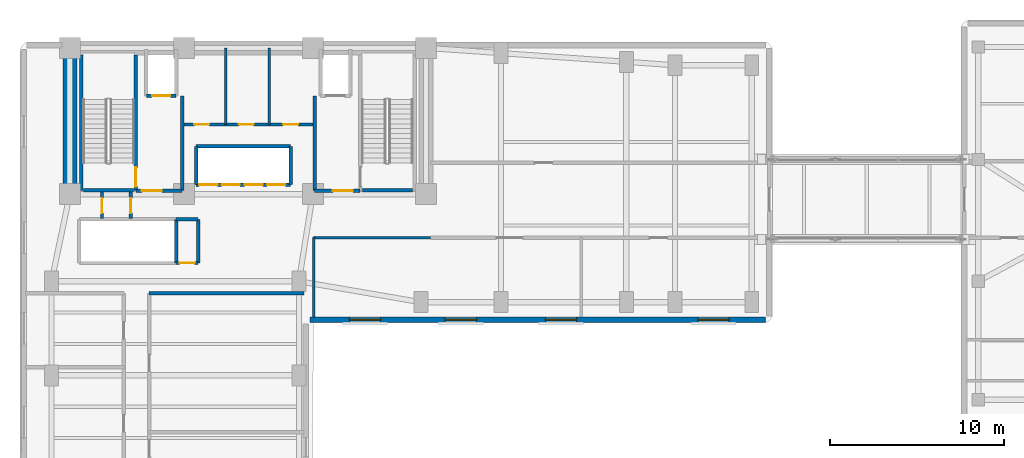
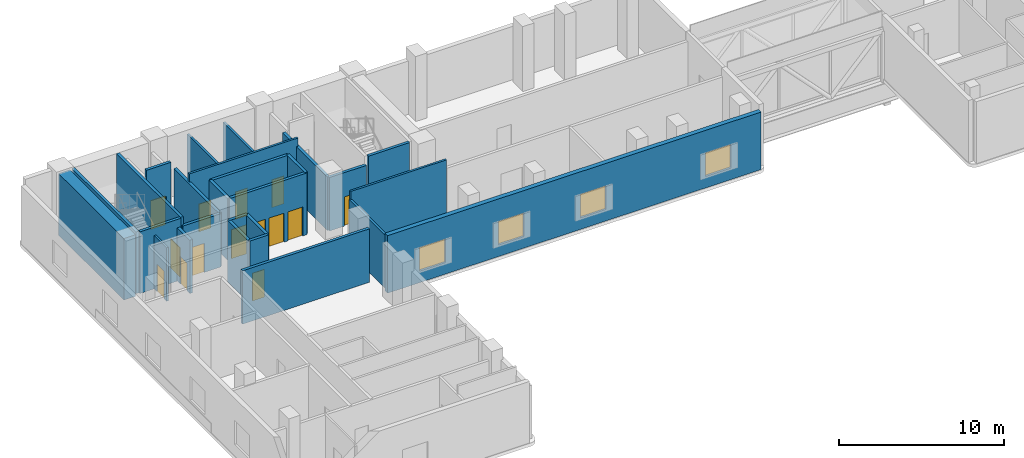
# One storey, part 12 of 17: 27 walls, 14 doors, 4 windows, 18 openings.
"""IFC4 building model written with IfcOpenShell, lengths in metres."""

import ifcopenshell
import ifcopenshell.guid

model = None  # the IFC model being written
_history = None  # IfcOwnerHistory: only IFC2X3 demands one
_inside = {}  # id of a spatial element -> (the spatial element, [elements in it])
_under = {}  # id of a project, library or spatial element -> (it, [spatial elements below it])
_declared = {}  # id of a project -> (the project, [libraries it declares])
_typed = {}  # id of a type object -> (the type object, [elements of that type])
_made_of = {}  # id of a material, layer set ... -> (it, [elements and type objects made of it])


def new_model(schema):
    """Start an empty IFC model of exactly this schema.

    Asked for "IFC4X3", IfcOpenShell would pick the latest addendum, in which some entities
    have other attributes; the version numbers below select the first issue.
    IFC2X3 requires an IfcOwnerHistory on every rooted entity: one is made here for all.
    """
    global model, _history
    if schema == "IFC4X3":
        model = ifcopenshell.file(schema_version=(4, 3, 0, 0))
    else:
        model = ifcopenshell.file(schema=schema)
    _inside.clear()
    _under.clear()
    _declared.clear()
    _typed.clear()
    _made_of.clear()
    _history = None
    if model.schema == "IFC2X3":
        org = make("IfcOrganization", Name="unknown")
        user = make(
            "IfcPersonAndOrganization",
            ThePerson=make("IfcPerson", FamilyName="unknown"),
            TheOrganization=org,
        )
        app = make(
            "IfcApplication",
            ApplicationDeveloper=org,
            Version="unknown",
            ApplicationFullName="unknown",
            ApplicationIdentifier="unknown",
        )
        _history = make(
            "IfcOwnerHistory",
            OwningUser=user,
            OwningApplication=app,
            ChangeAction="ADDED",
            CreationDate=0,
        )
    return model


def make(cls, **values):
    """One entity of the class cls with the attributes given. An attribute that is None is left unset."""
    return model.create_entity(
        cls, **{name: value for name, value in values.items() if value is not None}
    )


def rooted(cls, **values):
    """An entity with a GlobalId (a new one), such as an element, a storey or a relation."""
    return make(cls, GlobalId=ifcopenshell.guid.new(), OwnerHistory=_history, **values)


def si_unit(unit_type, name, prefix=None):
    """IfcSIUnit, for example si_unit("LENGTHUNIT", "METRE", prefix="MILLI")."""
    return make("IfcSIUnit", UnitType=unit_type, Prefix=prefix, Name=name)


def assignment(units):
    """IfcUnitAssignment: the units of a project."""
    return None if units is None else make("IfcUnitAssignment", Units=units)


def point(xyz):
    """IfcCartesianPoint."""
    return None if xyz is None else make("IfcCartesianPoint", Coordinates=xyz)


def direction(xyz):
    """IfcDirection."""
    return None if xyz is None else make("IfcDirection", DirectionRatios=xyz)


def frame(location, z_axis=None, x_axis=None):
    """IfcAxis2Placement3D, a coordinate frame: its origin and axes. An axis left out is left unset."""
    return make(
        "IfcAxis2Placement3D",
        Location=point(location),
        Axis=direction(z_axis),
        RefDirection=direction(x_axis),
    )


def frame_2d(location, x_axis=None):
    """IfcAxis2Placement2D, a coordinate frame in the plane: its origin and x axis."""
    return make(
        "IfcAxis2Placement2D", Location=point(location), RefDirection=direction(x_axis)
    )


def origin():
    """The frame at (0, 0, 0) with its axes left unset."""
    return frame((0.0, 0.0, 0.0))


def place(relative_to, where):
    """IfcLocalPlacement: puts the frame where relative to a parent placement (None: the world)."""
    return make(
        "IfcLocalPlacement", PlacementRelTo=relative_to, RelativePlacement=where
    )


def context(
    kind, dimensions, precision=None, world=None, true_north=None, identifier=None
):
    """IfcGeometricRepresentationContext, for example the 3D "Model" context."""
    return make(
        "IfcGeometricRepresentationContext",
        ContextIdentifier=identifier,
        ContextType=kind,
        CoordinateSpaceDimension=dimensions,
        Precision=precision,
        WorldCoordinateSystem=world,
        TrueNorth=true_north,
    )


def subcontext(parent, identifier, kind, view, scale=None):
    """IfcGeometricRepresentationSubContext, for example "Body" below "Model"."""
    return make(
        "IfcGeometricRepresentationSubContext",
        ContextIdentifier=identifier,
        ContextType=kind,
        ParentContext=parent,
        TargetScale=scale,
        TargetView=view,
    )


def project(units=None, contexts=None):
    """IfcProject with its units and contexts."""
    return rooted(
        "IfcProject",
        Name="project",
        RepresentationContexts=contexts,
        UnitsInContext=assignment(units),
    )


def spatial(cls, under=None, at=None, **own):
    """A site, building, storey or space (cls), placed at a placement, below another one or the project."""
    s = rooted(cls, ObjectPlacement=at, **own)
    if under is not None:
        _under.setdefault(under.id(), (under, []))[1].append(s)
    return s


def profile(cls, at=None, kind="AREA", **sizes):
    """A parametric profile (cls). Its sizes go by their IFC names, for example OverallWidth=200.0."""
    return make(cls, ProfileType=kind, Position=at, **sizes)


def rectangle(**sizes):
    """IfcRectangleProfileDef."""
    return profile("IfcRectangleProfileDef", **sizes)


def extrude(swept, where, along, depth):
    """IfcExtrudedAreaSolid: the profile swept, set in the frame where, extruded along a direction by depth."""
    return make(
        "IfcExtrudedAreaSolid",
        SweptArea=swept,
        Position=where,
        ExtrudedDirection=direction(along),
        Depth=depth,
    )


def shape(context_of_items, identifier, shape_type, items):
    """IfcShapeRepresentation: the items that make up one representation, for example the "Body"."""
    return make(
        "IfcShapeRepresentation",
        ContextOfItems=context_of_items,
        RepresentationIdentifier=identifier,
        RepresentationType=shape_type,
        Items=items,
    )


def material(Name=None, Category=None):
    """IfcMaterial."""
    return make("IfcMaterial", Name=Name, Category=Category)


def layer(
    of_material, thickness, ventilated=None, Name=None, Category=None, Priority=None
):
    """IfcMaterialLayer: one layer of a wall or slab, of a material (None: an air gap)."""
    return make(
        "IfcMaterialLayer",
        Material=of_material,
        LayerThickness=thickness,
        IsVentilated=ventilated,
        Name=Name,
        Category=Category,
        Priority=Priority,
    )


def layer_set(layers, Name=None):
    """IfcMaterialLayerSet."""
    return make("IfcMaterialLayerSet", MaterialLayers=layers, LayerSetName=Name)


def made_of(thing, what):
    """Note that an element or type object is made of a material, layer set ...; save() writes the relation."""
    if what is not None:
        _made_of.setdefault(what.id(), (what, []))[1].append(thing)
    return thing


def type_object(cls, material=None, **own):
    """A type object (cls), such as IfcWallType, which elements share."""
    return made_of(rooted(cls, **own), material)


def element(
    cls,
    number,
    at=None,
    inside=None,
    cuts=None,
    type_object=None,
    material=None,
    context=None,
    identifier="Body",
    shape_type=None,
    held_by="IfcProductDefinitionShape",
    body=None,
    shapes=None,
    **own,
):
    """One element of the class cls, such as IfcWall. Its Tag is "e" and its number.

    at: its placement. inside: the storey or other place that contains it. cuts: it is an
    opening in that element (IfcRelVoidsElement). A single representation is given by context,
    identifier, shape_type and body (its items); several are given by shapes. held_by: the class
    of the entity that holds the representations. save() writes the other relations.
    """
    e = rooted(cls, Tag="e%d" % number, ObjectPlacement=at, **own)
    if body is not None:
        shapes = [shape(context, identifier, shape_type, body)]
    if shapes is not None:
        e.Representation = make(held_by, Representations=shapes)
    if inside is not None:
        _inside.setdefault(inside.id(), (inside, []))[1].append(e)
    if cuts is not None:
        rooted(
            "IfcRelVoidsElement", RelatingBuildingElement=cuts, RelatedOpeningElement=e
        )
    if type_object is not None:
        _typed.setdefault(type_object.id(), (type_object, []))[1].append(e)
    return made_of(e, material)


def fill(opening, filler):
    """IfcRelFillsElement: the door or window that sits in an opening."""
    return rooted(
        "IfcRelFillsElement",
        RelatingOpeningElement=opening,
        RelatedBuildingElement=filler,
    )


def aggregate(whole, parts):
    """IfcRelAggregates: a whole, such as a stair, and the parts it consists of."""
    return rooted("IfcRelAggregates", RelatingObject=whole, RelatedObjects=parts)


def save(model, path):
    """Write the relations noted so far, then the file.

    IfcRelAggregates (storeys below a building ...), IfcRelContainedInSpatialStructure (elements
    in a storey), IfcRelDefinesByType, IfcRelAssociatesMaterial and IfcRelDeclares: one each for
    every whole, place, type object, material and project.
    """
    for whole, parts in _under.values():
        aggregate(whole, parts)
    for where, things in _inside.values():
        rooted(
            "IfcRelContainedInSpatialStructure",
            RelatedElements=things,
            RelatingStructure=where,
        )
    for kind, things in _typed.values():
        rooted("IfcRelDefinesByType", RelatedObjects=things, RelatingType=kind)
    for what, things in _made_of.values():
        rooted("IfcRelAssociatesMaterial", RelatedObjects=things, RelatingMaterial=what)
    for by, libraries in _declared.values():
        rooted("IfcRelDeclares", RelatingContext=by, RelatedDefinitions=libraries)
    model.write(path)


model = new_model("IFC4")

# Units and contexts
model_context = context("Model", 3, precision=1e-05, world=origin(), true_north=direction((0.0, 1.0)))
body_context = subcontext(model_context, "Body", "Model", "MODEL_VIEW")
ifc_project = project(units=[si_unit("LENGTHUNIT", "METRE"), si_unit("AREAUNIT", "SQUARE_METRE"), si_unit("VOLUMEUNIT", "CUBIC_METRE"), si_unit("PLANEANGLEUNIT", "RADIAN"), si_unit("MASSUNIT", "GRAM", prefix="KILO")], contexts=[model_context])

# Site, building, storey
site_placement = place(None, origin())
site = spatial("IfcSite", under=ifc_project, at=site_placement, CompositionType="ELEMENT")
building_placement = place(site_placement, origin())
building = spatial("IfcBuilding", under=site, at=building_placement, Name="Kuzgunbayir Cultural Tower", CompositionType="ELEMENT")
storey_placement = place(building_placement, frame((0.0, 0.0, 102.60009765625)))
storey = spatial("IfcBuildingStorey", under=building, at=storey_placement, Name="L29", CompositionType="ELEMENT", Elevation=102.60009765625)

# Wall
ifc_material_1 = material(Name="Concrete C60/75", Category="concrete")
ifc_layer_1 = layer(ifc_material_1, 0.800048828125)
ifc_layer_set_1 = layer_set([ifc_layer_1], Name="Concrete C60/75")
wall_type_1 = type_object("IfcWallType", Name="WAL-CORE-800", PredefinedType="SHEAR", material=ifc_layer_set_1)
wall_1_placement = place(storey_placement, frame((6.449951171875, 33.800048828125, 0.0), z_axis=(0.0, 0.0, 1.0), x_axis=(0.0, 1.0, 0.0)))
element("IfcWall", 1, at=wall_1_placement, inside=storey, type_object=wall_type_1, Name="L29 T1 Core West Shear Wall", PredefinedType="SHEAR", context=body_context, shape_type="SweptSolid", body=[
    extrude(rectangle(XDim=7.949951171875, YDim=0.800048828125, at=frame_2d((3.97509765625, 0.0))), origin(), (0.0, 0.0, 1.0), 4.559814453125),
])

# Wall, openings, windows
ifc_material_2 = material(Name="Travertine Buff Ashlar", Category="masonry")
ifc_layer_2 = layer(ifc_material_2, 0.320068359375)
ifc_layer_set_2 = layer_set([ifc_layer_2], Name="Travertine Buff Ashlar")
wall_type_2 = type_object("IfcWallType", Name="WAL-EXT-STONE-320", PredefinedType="STANDARD", material=ifc_layer_set_2)
wall_2_placement = place(storey_placement, frame((20.25, 26.60009765625, 0.0), z_axis=(0.0, 0.0, 1.0), x_axis=(1.0, 0.0, 0.0)))
wall_2 = element("IfcWall", 2, at=wall_2_placement, inside=storey, type_object=wall_type_2, Name="L29 Wing B South Limestone Wall", PredefinedType="STANDARD", context=body_context, shape_type="SweptSolid", body=[
    extrude(rectangle(XDim=26.14990234375, YDim=0.320068359375, at=frame_2d((13.074951171875, 0.0))), origin(), (0.0, 0.0, 1.0), 4.260009765625),
])
opening_1_placement = place(wall_2_placement, frame((2.25, 0.0, 0.85009765625)))
opening_1 = element("IfcOpeningElement", 3, at=opening_1_placement, cuts=wall_2, Name="Opening WH-18", PredefinedType="OPENING", context=body_context, shape_type="SweptSolid", body=[
    extrude(rectangle(XDim=1.800048828125, YDim=1.75, at=frame_2d((0.89990234375, 0.875))), frame((0.0, 0.169921875, 0.0), z_axis=(0.0, -1.0, 0.0), x_axis=(1.0, 0.0, 0.0)), (0.0, 0.0, 1.0), 0.340087890625),
])
opening_2_placement = place(wall_2_placement, frame((7.75, 0.0, 0.85009765625)))
opening_2 = element("IfcOpeningElement", 4, at=opening_2_placement, cuts=wall_2, Name="Opening WH-18", PredefinedType="OPENING", context=body_context, shape_type="SweptSolid", body=[
    extrude(rectangle(XDim=1.800048828125, YDim=1.75, at=frame_2d((0.89990234375, 0.875))), frame((0.0, 0.169921875, 0.0), z_axis=(0.0, -1.0, 0.0), x_axis=(1.0, 0.0, 0.0)), (0.0, 0.0, 1.0), 0.340087890625),
])
opening_3_placement = place(wall_2_placement, frame((13.5, 0.0, 0.85009765625)))
opening_3 = element("IfcOpeningElement", 5, at=opening_3_placement, cuts=wall_2, Name="Opening WH-18", PredefinedType="OPENING", context=body_context, shape_type="SweptSolid", body=[
    extrude(rectangle(XDim=1.800048828125, YDim=1.75, at=frame_2d((0.89990234375, 0.875))), frame((0.0, 0.169921875, 0.0), z_axis=(0.0, -1.0, 0.0), x_axis=(1.0, 0.0, 0.0)), (0.0, 0.0, 1.0), 0.340087890625),
])
opening_4_placement = place(wall_2_placement, frame((22.25, 0.0, 0.85009765625)))
opening_4 = element("IfcOpeningElement", 6, at=opening_4_placement, cuts=wall_2, Name="Opening WH-18", PredefinedType="OPENING", context=body_context, shape_type="SweptSolid", body=[
    extrude(rectangle(XDim=1.800048828125, YDim=1.75, at=frame_2d((0.89990234375, 0.875))), frame((0.0, 0.169921875, 0.0), z_axis=(0.0, -1.0, 0.0), x_axis=(1.0, 0.0, 0.0)), (0.0, 0.0, 1.0), 0.340087890625),
])
ifc_material_3 = material(Name="Solar-Control Triple Glazing", Category="glass")
window_type = type_object("IfcWindowType", Name="WIN-HOTEL-18", PartitioningType="SINGLE_PANEL", PredefinedType="WINDOW", material=ifc_material_3)
window_1_placement = place(opening_1_placement, origin())
window_1 = element("IfcWindow", 7, at=window_1_placement, inside=storey, type_object=window_type, Name="L29 WBS Facade Window 10", OverallHeight=1.75, OverallWidth=1.800048828125, PartitioningType="SINGLE_PANEL", PredefinedType="WINDOW", context=body_context, shape_type="SweptSolid", body=[
    extrude(rectangle(XDim=1.800048828125, YDim=1.75, at=frame_2d((0.89990234375, 0.875))), frame((0.0, 0.030029296875, 0.0), z_axis=(0.0, -1.0, 0.0), x_axis=(1.0, 0.0, 0.0)), (0.0, 0.0, 1.0), 0.06005859375),
])
fill(opening_1, window_1)
window_2_placement = place(opening_2_placement, origin())
window_2 = element("IfcWindow", 8, at=window_2_placement, inside=storey, type_object=window_type, Name="L29 WBS Facade Window 11", OverallHeight=1.75, OverallWidth=1.800048828125, PartitioningType="SINGLE_PANEL", PredefinedType="WINDOW", context=body_context, shape_type="SweptSolid", body=[
    extrude(rectangle(XDim=1.800048828125, YDim=1.75, at=frame_2d((0.89990234375, 0.875))), frame((0.0, 0.030029296875, 0.0), z_axis=(0.0, -1.0, 0.0), x_axis=(1.0, 0.0, 0.0)), (0.0, 0.0, 1.0), 0.06005859375),
])
fill(opening_2, window_2)
window_3_placement = place(opening_3_placement, origin())
window_3 = element("IfcWindow", 9, at=window_3_placement, inside=storey, type_object=window_type, Name="L29 WBS Facade Window 12", OverallHeight=1.75, OverallWidth=1.800048828125, PartitioningType="SINGLE_PANEL", PredefinedType="WINDOW", context=body_context, shape_type="SweptSolid", body=[
    extrude(rectangle(XDim=1.800048828125, YDim=1.75, at=frame_2d((0.89990234375, 0.875))), frame((0.0, 0.030029296875, 0.0), z_axis=(0.0, -1.0, 0.0), x_axis=(1.0, 0.0, 0.0)), (0.0, 0.0, 1.0), 0.06005859375),
])
fill(opening_3, window_3)
window_4_placement = place(opening_4_placement, origin())
window_4 = element("IfcWindow", 10, at=window_4_placement, inside=storey, type_object=window_type, Name="L29 WBS Facade Window 13", OverallHeight=1.75, OverallWidth=1.800048828125, PartitioningType="SINGLE_PANEL", PredefinedType="WINDOW", context=body_context, shape_type="SweptSolid", body=[
    extrude(rectangle(XDim=1.800048828125, YDim=1.75, at=frame_2d((0.89990234375, 0.875))), frame((0.0, 0.030029296875, 0.0), z_axis=(0.0, -1.0, 0.0), x_axis=(1.0, 0.0, 0.0)), (0.0, 0.0, 1.0), 0.06005859375),
])
fill(opening_4, window_4)

# Wall, opening, door
ifc_material_4 = material(Name="Acoustic Double-Stud Drywall", Category="gypsum")
ifc_layer_3 = layer(ifc_material_4, 0.14990234375)
ifc_layer_set_3 = layer_set([ifc_layer_3], Name="Acoustic Double-Stud Drywall")
wall_type_3 = type_object("IfcWallType", Name="WAL-PART-ACOUSTIC-150", PredefinedType="PARTITIONING", material=ifc_layer_set_3)
wall_3_placement = place(storey_placement, frame((8.300048828125, 32.39990234375, 0.0), z_axis=(0.0, 0.0, 1.0), x_axis=(0.0, 1.0, 0.0)))
wall_3 = element("IfcWall", 11, at=wall_3_placement, inside=storey, type_object=wall_type_3, Name="L29 West Core Closet Divider", PredefinedType="PARTITIONING", context=body_context, shape_type="SweptSolid", body=[
    extrude(rectangle(XDim=1.52001953125, YDim=0.14990234375, at=frame_2d((0.760009765625, 0.0))), origin(), (0.0, 0.0, 1.0), 3.949951171875),
])
opening_5_placement = place(wall_3_placement, frame((0.320068359375, 0.0, 0.0)))
opening_5 = element("IfcOpeningElement", 12, at=opening_5_placement, cuts=wall_3, Name="Opening DR-RSR-60", PredefinedType="OPENING", context=body_context, shape_type="SweptSolid", body=[
    extrude(rectangle(XDim=0.85009765625, YDim=2.050048828125, at=frame_2d((0.425048828125, 1.02490234375))), frame((0.0, 0.0849609375, 0.0), z_axis=(0.0, -1.0, 0.0), x_axis=(1.0, 0.0, 0.0)), (0.0, 0.0, 1.0), 0.169921875),
])
ifc_material_5 = material(Name="Steel Access Leaf", Category="steel")
door_type_1 = type_object("IfcDoorType", Name="DR-RISER-60", OperationType="NOTDEFINED", PredefinedType="DOOR", material=ifc_material_5)
door_1_placement = place(opening_5_placement, origin())
door_1 = element("IfcDoor", 13, at=door_1_placement, inside=storey, type_object=door_type_1, Name="L29 Sub-Meter Closet Door", OperationType="SINGLE_SWING_LEFT", OverallHeight=2.050048828125, OverallWidth=0.85009765625, PredefinedType="DOOR", context=body_context, shape_type="SweptSolid", body=[
    extrude(rectangle(XDim=0.85009765625, YDim=2.050048828125, at=frame_2d((0.425048828125, 1.02490234375))), frame((0.0, 0.02490234375, 0.0), z_axis=(0.0, -1.0, 0.0), x_axis=(1.0, 0.0, 0.0)), (0.0, 0.0, 1.0), 0.050048828125),
])
fill(opening_5, door_1)

# Wall, openings, doors
wall_4_placement = place(storey_placement, frame((12.89990234375, 37.800048828125, 0.0), z_axis=(0.0, 0.0, 1.0), x_axis=(1.0, 0.0, 0.0)))
wall_4 = element("IfcWall", 14, at=wall_4_placement, inside=storey, type_object=wall_type_3, Name="L29 Repurposed Core Suite Wall", PredefinedType="PARTITIONING", context=body_context, shape_type="SweptSolid", body=[
    extrude(rectangle(XDim=7.60009765625, YDim=0.14990234375, at=frame_2d((3.800048828125, 0.0))), origin(), (0.0, 0.0, 1.0), 4.559814453125),
])
opening_6_placement = place(wall_4_placement, frame((0.699951171875, 0.0, 0.0)))
opening_6 = element("IfcOpeningElement", 15, at=opening_6_placement, cuts=wall_4, Name="Opening DC-85", PredefinedType="OPENING", context=body_context, shape_type="SweptSolid", body=[
    extrude(rectangle(XDim=0.85009765625, YDim=2.050048828125, at=frame_2d((0.425048828125, 1.02490234375))), frame((0.0, 0.0849609375, 0.0), z_axis=(0.0, -1.0, 0.0), x_axis=(1.0, 0.0, 0.0)), (0.0, 0.0, 1.0), 0.169921875),
])
opening_7_placement = place(wall_4_placement, frame((3.25, 0.0, 0.0)))
opening_7 = element("IfcOpeningElement", 16, at=opening_7_placement, cuts=wall_4, Name="Opening DC-85", PredefinedType="OPENING", context=body_context, shape_type="SweptSolid", body=[
    extrude(rectangle(XDim=0.85009765625, YDim=2.050048828125, at=frame_2d((0.425048828125, 1.02490234375))), frame((0.0, 0.0849609375, 0.0), z_axis=(0.0, -1.0, 0.0), x_axis=(1.0, 0.0, 0.0)), (0.0, 0.0, 1.0), 0.169921875),
])
opening_8_placement = place(wall_4_placement, frame((5.800048828125, 0.0, 0.0)))
opening_8 = element("IfcOpeningElement", 17, at=opening_8_placement, cuts=wall_4, Name="Opening DC-85", PredefinedType="OPENING", context=body_context, shape_type="SweptSolid", body=[
    extrude(rectangle(XDim=0.85009765625, YDim=2.050048828125, at=frame_2d((0.425048828125, 1.02490234375))), frame((0.0, 0.0849609375, 0.0), z_axis=(0.0, -1.0, 0.0), x_axis=(1.0, 0.0, 0.0)), (0.0, 0.0, 1.0), 0.169921875),
])
ifc_material_6 = material(Name="Fire-Rated Veneered Oak Leaf", Category="wood")
door_type_2 = type_object("IfcDoorType", Name="DR-CORE-85", OperationType="NOTDEFINED", PredefinedType="DOOR", material=ifc_material_6)
door_2_placement = place(opening_6_placement, origin())
door_2 = element("IfcDoor", 18, at=door_2_placement, inside=storey, type_object=door_type_2, Name="L29 Phone Booth Door", OperationType="SINGLE_SWING_LEFT", OverallHeight=2.050048828125, OverallWidth=0.85009765625, PredefinedType="DOOR", context=body_context, shape_type="SweptSolid", body=[
    extrude(rectangle(XDim=0.85009765625, YDim=2.050048828125, at=frame_2d((0.425048828125, 1.02490234375))), frame((0.0, 0.02490234375, 0.0), z_axis=(0.0, -1.0, 0.0), x_axis=(1.0, 0.0, 0.0)), (0.0, 0.0, 1.0), 0.050048828125),
])
fill(opening_6, door_2)
door_3_placement = place(opening_7_placement, origin())
door_3 = element("IfcDoor", 19, at=door_3_placement, inside=storey, type_object=door_type_2, Name="L29 Pantry Alcove Door", OperationType="SINGLE_SWING_RIGHT", OverallHeight=2.050048828125, OverallWidth=0.85009765625, PredefinedType="DOOR", context=body_context, shape_type="SweptSolid", body=[
    extrude(rectangle(XDim=0.85009765625, YDim=2.050048828125, at=frame_2d((0.425048828125, 1.02490234375))), frame((0.0, 0.02490234375, 0.0), z_axis=(0.0, -1.0, 0.0), x_axis=(1.0, 0.0, 0.0)), (0.0, 0.0, 1.0), 0.050048828125),
])
fill(opening_7, door_3)
door_4_placement = place(opening_8_placement, origin())
door_4 = element("IfcDoor", 20, at=door_4_placement, inside=storey, type_object=door_type_2, Name="L29 Telecom Closet Door", OperationType="SINGLE_SWING_LEFT", OverallHeight=2.050048828125, OverallWidth=0.85009765625, PredefinedType="DOOR", context=body_context, shape_type="SweptSolid", body=[
    extrude(rectangle(XDim=0.85009765625, YDim=2.050048828125, at=frame_2d((0.425048828125, 1.02490234375))), frame((0.0, 0.02490234375, 0.0), z_axis=(0.0, -1.0, 0.0), x_axis=(1.0, 0.0, 0.0)), (0.0, 0.0, 1.0), 0.050048828125),
])
fill(opening_8, door_4)

# Walls
for number, where, z_axis, x_axis, name in (
    (21, (15.39990234375, 37.800048828125, 0.0), (0.0, 0.0, 1.0), (0.0, 1.0, 0.0), "L29 Core Pod Partition 1"),
    (22, (17.89990234375, 37.800048828125, 0.0), (0.0, 0.0, 1.0), (0.0, 1.0, 0.0), "L29 Core Pod Partition 2"),
):
    element("IfcWall", number, at=place(storey_placement, frame(where, z_axis=z_axis, x_axis=x_axis)), inside=storey, type_object=wall_type_3, Name=name, PredefinedType="PARTITIONING", context=body_context, shape_type="SweptSolid", body=[
        extrude(rectangle(XDim=4.39990234375, YDim=0.14990234375, at=frame_2d((2.199951171875, 0.0))), origin(), (0.0, 0.0, 1.0), 3.949951171875),
    ])
wall_5_placement = place(storey_placement, frame((20.449951171875, 26.75, 0.0), z_axis=(0.0, 0.0, 1.0), x_axis=(0.0, 1.0, 0.0)))
element("IfcWall", 23, at=wall_5_placement, inside=storey, type_object=wall_type_3, Name="L29 Skybridge Lounge West Closure Wall", PredefinedType="PARTITIONING", context=body_context, shape_type="SweptSolid", body=[
    extrude(rectangle(XDim=4.550048828125, YDim=0.14990234375, at=frame_2d((2.27490234375, 0.0))), origin(), (0.0, 0.0, 1.0), 3.949951171875),
])
wall_6_placement = place(storey_placement, frame((20.449951171875, 31.300048828125, 0.0), z_axis=(0.0, 0.0, 1.0), x_axis=(1.0, 0.0, 0.0)))
element("IfcWall", 24, at=wall_6_placement, inside=storey, type_object=wall_type_3, Name="L29 Skybridge Lounge North Closure Wall", PredefinedType="PARTITIONING", context=body_context, shape_type="SweptSolid", body=[
    extrude(rectangle(XDim=6.699951171875, YDim=0.14990234375, at=frame_2d((3.35009765625, 0.0))), origin(), (0.0, 0.0, 1.0), 4.559814453125),
])
ifc_material_7 = material(Name="Aerated Concrete Blockwork", Category="masonry")
ifc_layer_4 = layer(ifc_material_7, 0.199951171875)
ifc_layer_set_4 = layer_set([ifc_layer_4], Name="Aerated Concrete Blockwork")
wall_type_4 = type_object("IfcWallType", Name="WAL-PART-FIRE-200", PredefinedType="PARTITIONING", material=ifc_layer_set_4)
wall_7_placement = place(storey_placement, frame((12.89990234375, 34.0, 0.0), z_axis=(0.0, 0.0, 1.0), x_axis=(0.0, 1.0, 0.0)))
element("IfcWall", 25, at=wall_7_placement, inside=storey, type_object=wall_type_4, Name="L29 FFL-1 Lobby East Fire Wall", PredefinedType="PARTITIONING", context=body_context, shape_type="SweptSolid", body=[
    extrude(rectangle(XDim=5.449951171875, YDim=0.199951171875, at=frame_2d((2.72509765625, 0.0))), origin(), (0.0, 0.0, 1.0), 3.949951171875),
])

# Wall, opening, door
wall_8_placement = place(storey_placement, frame((10.239990234375, 34.0, 0.0), z_axis=(0.0, 0.0, 1.0), x_axis=(1.0, 0.0, 0.0)))
wall_8 = element("IfcWall", 26, at=wall_8_placement, inside=storey, type_object=wall_type_4, Name="L29 FFL-1 Lobby South Fire Wall", PredefinedType="PARTITIONING", context=body_context, shape_type="SweptSolid", body=[
    extrude(rectangle(XDim=2.659912109375, YDim=0.199951171875, at=frame_2d((1.330078125, 0.0))), origin(), (0.0, 0.0, 1.0), 3.949951171875),
])
opening_9_placement = place(wall_8_placement, frame((0.35009765625, 0.0, 0.0)))
opening_9 = element("IfcOpeningElement", 27, at=opening_9_placement, cuts=wall_8, Name="Opening DR-FFL-90", PredefinedType="OPENING", context=body_context, shape_type="SweptSolid", body=[
    extrude(rectangle(XDim=1.14990234375, YDim=2.14990234375, at=frame_2d((0.574951171875, 1.074951171875))), frame((0.0, 0.10986328125, 0.0), z_axis=(0.0, -1.0, 0.0), x_axis=(1.0, 0.0, 0.0)), (0.0, 0.0, 1.0), 0.219970703125),
])
ifc_material_8 = material(Name="Steel S355J2", Category="steel")
door_type_3 = type_object("IfcDoorType", Name="DR-FFL-90", OperationType="NOTDEFINED", PredefinedType="DOOR", material=ifc_material_8)
door_5_placement = place(opening_9_placement, origin())
door_5 = element("IfcDoor", 28, at=door_5_placement, inside=storey, type_object=door_type_3, Name="L29 Firefighting Lobby 1 Door", OperationType="SINGLE_SWING_RIGHT", OverallHeight=2.14990234375, OverallWidth=1.14990234375, PredefinedType="DOOR", context=body_context, shape_type="SweptSolid", body=[
    extrude(rectangle(XDim=1.14990234375, YDim=2.14990234375, at=frame_2d((0.574951171875, 1.074951171875))), frame((0.0, 0.02490234375, 0.0), z_axis=(0.0, -1.0, 0.0), x_axis=(1.0, 0.0, 0.0)), (0.0, 0.0, 1.0), 0.050048828125),
])
fill(opening_9, door_5)

# Wall
wall_9_placement = place(storey_placement, frame((20.5, 34.0, 0.0), z_axis=(0.0, 0.0, 1.0), x_axis=(0.0, 1.0, 0.0)))
element("IfcWall", 29, at=wall_9_placement, inside=storey, type_object=wall_type_4, Name="L29 FFL-2 Lobby West Fire Wall", PredefinedType="PARTITIONING", context=body_context, shape_type="SweptSolid", body=[
    extrude(rectangle(XDim=5.449951171875, YDim=0.199951171875, at=frame_2d((2.72509765625, 0.0))), origin(), (0.0, 0.0, 1.0), 3.949951171875),
])

# Wall, opening, door
wall_10_placement = place(storey_placement, frame((20.5, 34.0, 0.0), z_axis=(0.0, 0.0, 1.0), x_axis=(1.0, 0.0, 0.0)))
wall_10 = element("IfcWall", 30, at=wall_10_placement, inside=storey, type_object=wall_type_4, Name="L29 FFL-2 Lobby South Fire Wall", PredefinedType="PARTITIONING", context=body_context, shape_type="SweptSolid", body=[
    extrude(rectangle(XDim=2.60009765625, YDim=0.199951171875, at=frame_2d((1.300048828125, 0.0))), origin(), (0.0, 0.0, 1.0), 3.949951171875),
])
opening_10_placement = place(wall_10_placement, frame((1.050048828125, 0.0, 0.0)))
opening_10 = element("IfcOpeningElement", 31, at=opening_10_placement, cuts=wall_10, Name="Opening DR-FFL-90", PredefinedType="OPENING", context=body_context, shape_type="SweptSolid", body=[
    extrude(rectangle(XDim=1.14990234375, YDim=2.14990234375, at=frame_2d((0.574951171875, 1.074951171875))), frame((0.0, 0.10986328125, 0.0), z_axis=(0.0, -1.0, 0.0), x_axis=(1.0, 0.0, 0.0)), (0.0, 0.0, 1.0), 0.219970703125),
])
door_6_placement = place(opening_10_placement, origin())
door_6 = element("IfcDoor", 32, at=door_6_placement, inside=storey, type_object=door_type_3, Name="L29 Firefighting Lobby 2 Door", OperationType="SINGLE_SWING_LEFT", OverallHeight=2.14990234375, OverallWidth=1.14990234375, PredefinedType="DOOR", context=body_context, shape_type="SweptSolid", body=[
    extrude(rectangle(XDim=1.14990234375, YDim=2.14990234375, at=frame_2d((0.574951171875, 1.074951171875))), frame((0.0, 0.02490234375, 0.0), z_axis=(0.0, -1.0, 0.0), x_axis=(1.0, 0.0, 0.0)), (0.0, 0.0, 1.0), 0.050048828125),
])
fill(opening_10, door_6)

wall_11_placement = place(storey_placement, frame((9.949951171875, 32.39990234375, 0.0), z_axis=(0.0, 0.0, 1.0), x_axis=(0.0, 1.0, 0.0)))
wall_11 = element("IfcWall", 33, at=wall_11_placement, inside=storey, type_object=wall_type_4, Name="L29 West Core Service Closet Wall", PredefinedType="PARTITIONING", context=body_context, shape_type="SweptSolid", body=[
    extrude(rectangle(XDim=1.52001953125, YDim=0.199951171875, at=frame_2d((0.760009765625, 0.0))), origin(), (0.0, 0.0, 1.0), 3.949951171875),
])
opening_11_placement = place(wall_11_placement, frame((0.320068359375, 0.0, 0.0)))
opening_11 = element("IfcOpeningElement", 34, at=opening_11_placement, cuts=wall_11, Name="Opening DR-RSR-60", PredefinedType="OPENING", context=body_context, shape_type="SweptSolid", body=[
    extrude(rectangle(XDim=0.85009765625, YDim=2.050048828125, at=frame_2d((0.425048828125, 1.02490234375))), frame((0.0, 0.10986328125, 0.0), z_axis=(0.0, -1.0, 0.0), x_axis=(1.0, 0.0, 0.0)), (0.0, 0.0, 1.0), 0.219970703125),
])
door_7_placement = place(opening_11_placement, origin())
door_7 = element("IfcDoor", 35, at=door_7_placement, inside=storey, type_object=door_type_1, Name="L29 Cleaner Store Door", OperationType="SINGLE_SWING_RIGHT", OverallHeight=2.050048828125, OverallWidth=0.85009765625, PredefinedType="DOOR", context=body_context, shape_type="SweptSolid", body=[
    extrude(rectangle(XDim=0.85009765625, YDim=2.050048828125, at=frame_2d((0.425048828125, 1.02490234375))), frame((0.0, 0.02490234375, 0.0), z_axis=(0.0, -1.0, 0.0), x_axis=(1.0, 0.0, 0.0)), (0.0, 0.0, 1.0), 0.050048828125),
])
fill(opening_11, door_7)

wall_12_placement = place(storey_placement, frame((12.550048828125, 29.85009765625, 0.0), z_axis=(0.0, 0.0, 1.0), x_axis=(1.0, 0.0, 0.0)))
wall_12 = element("IfcWall", 36, at=wall_12_placement, inside=storey, type_object=wall_type_4, Name="L29 Center Core Switchgear South Wall", PredefinedType="PARTITIONING", context=body_context, shape_type="SweptSolid", body=[
    extrude(rectangle(XDim=1.27001953125, YDim=0.199951171875, at=frame_2d((0.635009765625, 0.0))), origin(), (0.0, 0.0, 1.0), 4.559814453125),
])
opening_12_placement = place(wall_12_placement, frame((0.2099609375, 0.0, 0.0)))
opening_12 = element("IfcOpeningElement", 37, at=opening_12_placement, cuts=wall_12, Name="Opening DR-RSR-60", PredefinedType="OPENING", context=body_context, shape_type="SweptSolid", body=[
    extrude(rectangle(XDim=0.85009765625, YDim=2.050048828125, at=frame_2d((0.425048828125, 1.02490234375))), frame((0.0, 0.10986328125, 0.0), z_axis=(0.0, -1.0, 0.0), x_axis=(1.0, 0.0, 0.0)), (0.0, 0.0, 1.0), 0.219970703125),
])
door_8_placement = place(opening_12_placement, origin())
door_8 = element("IfcDoor", 38, at=door_8_placement, inside=storey, type_object=door_type_1, Name="L29 Telecom Closet Door", OperationType="SINGLE_SWING_RIGHT", OverallHeight=2.050048828125, OverallWidth=0.85009765625, PredefinedType="DOOR", context=body_context, shape_type="SweptSolid", body=[
    extrude(rectangle(XDim=0.85009765625, YDim=2.050048828125, at=frame_2d((0.425048828125, 1.02490234375))), frame((0.0, 0.02490234375, 0.0), z_axis=(0.0, -1.0, 0.0), x_axis=(1.0, 0.0, 0.0)), (0.0, 0.0, 1.0), 0.050048828125),
])
fill(opening_12, door_8)

# Walls
wall_13_placement = place(storey_placement, frame((13.820068359375, 29.85009765625, 0.0), z_axis=(0.0, 0.0, 1.0), x_axis=(0.0, 1.0, 0.0)))
element("IfcWall", 39, at=wall_13_placement, inside=storey, type_object=wall_type_4, Name="L29 Center Core Switchgear East Wall", PredefinedType="PARTITIONING", context=body_context, shape_type="SweptSolid", body=[
    extrude(rectangle(XDim=2.5, YDim=0.199951171875, at=frame_2d((1.25, 0.0))), origin(), (0.0, 0.0, 1.0), 4.559814453125),
])
wall_14_placement = place(storey_placement, frame((12.550048828125, 32.35009765625, 0.0), z_axis=(0.0, 0.0, 1.0), x_axis=(1.0, 0.0, 0.0)))
element("IfcWall", 40, at=wall_14_placement, inside=storey, type_object=wall_type_4, Name="L29 Center Core Switchgear North Wall", PredefinedType="PARTITIONING", context=body_context, shape_type="SweptSolid", body=[
    extrude(rectangle(XDim=1.27001953125, YDim=0.199951171875, at=frame_2d((0.635009765625, 0.0))), origin(), (0.0, 0.0, 1.0), 4.559814453125),
])
wall_15_placement = place(storey_placement, frame((11.010009765625, 28.10009765625, 0.0), z_axis=(0.0, 0.0, 1.0), x_axis=(1.0, 0.0, 0.0)))
element("IfcWall", 41, at=wall_15_placement, inside=storey, type_object=wall_type_4, Name="L29 North East Partition", PredefinedType="PARTITIONING", context=body_context, shape_type="SweptSolid", body=[
    extrude(rectangle(XDim=8.889892578125, YDim=0.199951171875, at=frame_2d((4.44482421875, 0.0))), origin(), (0.0, 0.0, 1.0), 3.949951171875),
])
ifc_material_9 = material(Name="Concrete C40/50", Category="concrete")
ifc_layer_5 = layer(ifc_material_9, 0.199951171875)
ifc_layer_set_5 = layer_set([ifc_layer_5], Name="Concrete C40/50")
wall_type_5 = type_object("IfcWallType", Name="WAL-SHAFT-200", PredefinedType="MOVABLE", material=ifc_layer_set_5)
wall_16_placement = place(storey_placement, frame((12.550048828125, 29.85009765625, 0.0), z_axis=(0.0, 0.0, 1.0), x_axis=(0.0, 1.0, 0.0)))
element("IfcWall", 42, at=wall_16_placement, inside=storey, type_object=wall_type_5, Name="L29 High-Rise Lift Shaft East Wall", PredefinedType="MOVABLE", context=body_context, shape_type="SweptSolid", body=[
    extrude(rectangle(XDim=2.5, YDim=0.199951171875, at=frame_2d((1.25, 0.0))), origin(), (0.0, 0.0, 1.0), 4.559814453125),
])

# Wall, opening, door
wall_17_placement = place(storey_placement, frame((10.85009765625, 39.449951171875, 0.0), z_axis=(0.0, 0.0, 1.0), x_axis=(1.0, 0.0, 0.0)))
wall_17 = element("IfcWall", 43, at=wall_17_placement, inside=storey, type_object=wall_type_5, Name="L29 FFL-1 Lift Front Wall", PredefinedType="MOVABLE", context=body_context, shape_type="SweptSolid", body=[
    extrude(rectangle(XDim=1.699951171875, YDim=0.199951171875, at=frame_2d((0.85009765625, 0.0))), origin(), (0.0, 0.0, 1.0), 4.559814453125),
])
opening_13_placement = place(wall_17_placement, frame((0.320068359375, 0.0, 0.0)))
opening_13 = element("IfcOpeningElement", 44, at=opening_13_placement, cuts=wall_17, Name="Opening LD", PredefinedType="OPENING", context=body_context, shape_type="SweptSolid", body=[
    extrude(rectangle(XDim=1.050048828125, YDim=2.14990234375, at=frame_2d((0.52490234375, 1.074951171875))), frame((0.0, 0.10986328125, 0.0), z_axis=(0.0, -1.0, 0.0), x_axis=(1.0, 0.0, 0.0)), (0.0, 0.0, 1.0), 0.219970703125),
])
ifc_material_10 = material(Name="Brushed Stainless Steel", Category="steel")
door_type_4 = type_object("IfcDoorType", Name="DR-LIFT-LANDING", OperationType="SLIDING_TO_LEFT", PredefinedType="DOOR", material=ifc_material_10)
door_9_placement = place(opening_13_placement, origin())
door_9 = element("IfcDoor", 45, at=door_9_placement, inside=storey, type_object=door_type_4, Name="L29 Lift FFL-1 Landing Door", OperationType="SLIDING_TO_LEFT", OverallHeight=2.14990234375, OverallWidth=1.050048828125, PredefinedType="DOOR", context=body_context, shape_type="SweptSolid", body=[
    extrude(rectangle(XDim=1.050048828125, YDim=2.14990234375, at=frame_2d((0.52490234375, 1.074951171875))), frame((0.0, 0.02490234375, 0.0), z_axis=(0.0, -1.0, 0.0), x_axis=(1.0, 0.0, 0.0)), (0.0, 0.0, 1.0), 0.050048828125),
])
fill(opening_13, door_9)

# Wall, openings, doors
wall_18_placement = place(storey_placement, frame((13.699951171875, 34.35009765625, 0.0), z_axis=(0.0, 0.0, 1.0), x_axis=(1.0, 0.0, 0.0)))
wall_18 = element("IfcWall", 46, at=wall_18_placement, inside=storey, type_object=wall_type_5, Name="L29 Mid-Rise Lift Front Wall", PredefinedType="MOVABLE", context=body_context, shape_type="SweptSolid", body=[
    extrude(rectangle(XDim=5.420166015625, YDim=0.199951171875, at=frame_2d((2.7099609375, 0.0))), origin(), (0.0, 0.0, 1.0), 4.559814453125),
])
opening_14_placement = place(wall_18_placement, frame((0.179931640625, 0.0, 0.0)))
opening_14 = element("IfcOpeningElement", 47, at=opening_14_placement, cuts=wall_18, Name="Opening LD", PredefinedType="OPENING", context=body_context, shape_type="SweptSolid", body=[
    extrude(rectangle(XDim=1.050048828125, YDim=2.14990234375, at=frame_2d((0.52490234375, 1.074951171875))), frame((0.0, 0.10986328125, 0.0), z_axis=(0.0, -1.0, 0.0), x_axis=(1.0, 0.0, 0.0)), (0.0, 0.0, 1.0), 0.219970703125),
])
opening_15_placement = place(wall_18_placement, frame((1.469970703125, 0.0, 0.0)))
opening_15 = element("IfcOpeningElement", 48, at=opening_15_placement, cuts=wall_18, Name="Opening LD", PredefinedType="OPENING", context=body_context, shape_type="SweptSolid", body=[
    extrude(rectangle(XDim=1.050048828125, YDim=2.14990234375, at=frame_2d((0.52490234375, 1.074951171875))), frame((0.0, 0.10986328125, 0.0), z_axis=(0.0, -1.0, 0.0), x_axis=(1.0, 0.0, 0.0)), (0.0, 0.0, 1.0), 0.219970703125),
])
opening_16_placement = place(wall_18_placement, frame((2.780029296875, 0.0, 0.0)))
opening_16 = element("IfcOpeningElement", 49, at=opening_16_placement, cuts=wall_18, Name="Opening LD", PredefinedType="OPENING", context=body_context, shape_type="SweptSolid", body=[
    extrude(rectangle(XDim=1.050048828125, YDim=2.14990234375, at=frame_2d((0.52490234375, 1.074951171875))), frame((0.0, 0.10986328125, 0.0), z_axis=(0.0, -1.0, 0.0), x_axis=(1.0, 0.0, 0.0)), (0.0, 0.0, 1.0), 0.219970703125),
])
opening_17_placement = place(wall_18_placement, frame((4.080078125, 0.0, 0.0)))
opening_17 = element("IfcOpeningElement", 50, at=opening_17_placement, cuts=wall_18, Name="Opening LD", PredefinedType="OPENING", context=body_context, shape_type="SweptSolid", body=[
    extrude(rectangle(XDim=1.050048828125, YDim=2.14990234375, at=frame_2d((0.52490234375, 1.074951171875))), frame((0.0, 0.10986328125, 0.0), z_axis=(0.0, -1.0, 0.0), x_axis=(1.0, 0.0, 0.0)), (0.0, 0.0, 1.0), 0.219970703125),
])
door_10_placement = place(opening_14_placement, origin())
door_10 = element("IfcDoor", 51, at=door_10_placement, inside=storey, type_object=door_type_4, Name="L29 Lift PM-1 Landing Door", OperationType="SLIDING_TO_LEFT", OverallHeight=2.14990234375, OverallWidth=1.050048828125, PredefinedType="DOOR", context=body_context, shape_type="SweptSolid", body=[
    extrude(rectangle(XDim=1.050048828125, YDim=2.14990234375, at=frame_2d((0.52490234375, 1.074951171875))), frame((0.0, 0.02490234375, 0.0), z_axis=(0.0, -1.0, 0.0), x_axis=(1.0, 0.0, 0.0)), (0.0, 0.0, 1.0), 0.050048828125),
])
fill(opening_14, door_10)
door_11_placement = place(opening_15_placement, origin())
door_11 = element("IfcDoor", 52, at=door_11_placement, inside=storey, type_object=door_type_4, Name="L29 Lift PM-2 Landing Door", OperationType="SLIDING_TO_LEFT", OverallHeight=2.14990234375, OverallWidth=1.050048828125, PredefinedType="DOOR", context=body_context, shape_type="SweptSolid", body=[
    extrude(rectangle(XDim=1.050048828125, YDim=2.14990234375, at=frame_2d((0.52490234375, 1.074951171875))), frame((0.0, 0.02490234375, 0.0), z_axis=(0.0, -1.0, 0.0), x_axis=(1.0, 0.0, 0.0)), (0.0, 0.0, 1.0), 0.050048828125),
])
fill(opening_15, door_11)
door_12_placement = place(opening_16_placement, origin())
door_12 = element("IfcDoor", 53, at=door_12_placement, inside=storey, type_object=door_type_4, Name="L29 Lift PM-3 Landing Door", OperationType="SLIDING_TO_LEFT", OverallHeight=2.14990234375, OverallWidth=1.050048828125, PredefinedType="DOOR", context=body_context, shape_type="SweptSolid", body=[
    extrude(rectangle(XDim=1.050048828125, YDim=2.14990234375, at=frame_2d((0.52490234375, 1.074951171875))), frame((0.0, 0.02490234375, 0.0), z_axis=(0.0, -1.0, 0.0), x_axis=(1.0, 0.0, 0.0)), (0.0, 0.0, 1.0), 0.050048828125),
])
fill(opening_16, door_12)
door_13_placement = place(opening_17_placement, origin())
door_13 = element("IfcDoor", 54, at=door_13_placement, inside=storey, type_object=door_type_4, Name="L29 Lift PM-4 Landing Door", OperationType="SLIDING_TO_LEFT", OverallHeight=2.14990234375, OverallWidth=1.050048828125, PredefinedType="DOOR", context=body_context, shape_type="SweptSolid", body=[
    extrude(rectangle(XDim=1.050048828125, YDim=2.14990234375, at=frame_2d((0.52490234375, 1.074951171875))), frame((0.0, 0.02490234375, 0.0), z_axis=(0.0, -1.0, 0.0), x_axis=(1.0, 0.0, 0.0)), (0.0, 0.0, 1.0), 0.050048828125),
])
fill(opening_17, door_13)

# Walls
wall_19_placement = place(storey_placement, frame((13.699951171875, 36.550048828125, 0.0), z_axis=(0.0, 0.0, 1.0), x_axis=(1.0, 0.0, 0.0)))
element("IfcWall", 55, at=wall_19_placement, inside=storey, type_object=wall_type_5, Name="L29 Mid-Rise Lift Shaft North Wall", PredefinedType="MOVABLE", context=body_context, shape_type="SweptSolid", body=[
    extrude(rectangle(XDim=5.420166015625, YDim=0.199951171875, at=frame_2d((2.7099609375, 0.0))), origin(), (0.0, 0.0, 1.0), 4.559814453125),
])
for number, where, z_axis, x_axis, name in (
    (56, (13.699951171875, 34.35009765625, 0.0), (0.0, 0.0, 1.0), (0.0, 1.0, 0.0), "L29 Mid-Rise Lift Shaft West Wall"),
    (57, (19.1201171875, 34.35009765625, 0.0), (0.0, 0.0, 1.0), (0.0, 1.0, 0.0), "L29 Mid-Rise Lift Shaft East Wall"),
):
    element("IfcWall", number, at=place(storey_placement, frame(where, z_axis=z_axis, x_axis=x_axis)), inside=storey, type_object=wall_type_5, Name=name, PredefinedType="MOVABLE", context=body_context, shape_type="SweptSolid", body=[
        extrude(rectangle(XDim=2.199951171875, YDim=0.199951171875, at=frame_2d((1.10009765625, 0.0))), origin(), (0.0, 0.0, 1.0), 4.559814453125),
    ])
ifc_layer_6 = layer(ifc_material_9, 0.199951171875)
ifc_layer_set_6 = layer_set([ifc_layer_6], Name="Concrete C40/50")
wall_type_6 = type_object("IfcWallType", Name="WAL-STAIR-RC-200", PredefinedType="SHEAR", material=ifc_layer_set_6)
wall_20_placement = place(storey_placement, frame((7.1201171875, 34.02001953125, 0.0), z_axis=(0.0, 0.0, 1.0), x_axis=(0.0, 1.0, 0.0)))
element("IfcWall", 58, at=wall_20_placement, inside=storey, type_object=wall_type_6, Name="L29 Stair ST-1 West Structural Wall", PredefinedType="SHEAR", context=body_context, shape_type="SweptSolid", body=[
    extrude(rectangle(XDim=7.780029296875, YDim=0.199951171875, at=frame_2d((3.89013671875, 0.0))), origin(), (0.0, 0.0, 1.0), 4.559814453125),
])

# Wall, opening, door
wall_21_placement = place(storey_placement, frame((10.239990234375, 34.02001953125, 0.0), z_axis=(0.0, 0.0, 1.0), x_axis=(0.0, 1.0, 0.0)))
wall_21 = element("IfcWall", 59, at=wall_21_placement, inside=storey, type_object=wall_type_6, Name="L29 Stair ST-1 East Structural Wall", PredefinedType="SHEAR", context=body_context, shape_type="SweptSolid", body=[
    extrude(rectangle(XDim=7.780029296875, YDim=0.199951171875, at=frame_2d((3.89013671875, 0.0))), origin(), (0.0, 0.0, 1.0), 4.559814453125),
])
opening_18_placement = place(wall_21_placement, frame((0.219970703125, 0.0, 0.0)))
opening_18 = element("IfcOpeningElement", 60, at=opening_18_placement, cuts=wall_21, Name="Opening DR-STAIR-90", PredefinedType="OPENING", context=body_context, shape_type="SweptSolid", body=[
    extrude(rectangle(XDim=1.10009765625, YDim=2.14990234375, at=frame_2d((0.550048828125, 1.074951171875))), frame((0.0, 0.10986328125, 0.0), z_axis=(0.0, -1.0, 0.0), x_axis=(1.0, 0.0, 0.0)), (0.0, 0.0, 1.0), 0.219970703125),
])
door_type_5 = type_object("IfcDoorType", Name="DR-STAIR-90", OperationType="NOTDEFINED", PredefinedType="DOOR", material=ifc_material_8)
door_14_placement = place(opening_18_placement, origin())
door_14 = element("IfcDoor", 61, at=door_14_placement, inside=storey, type_object=door_type_5, Name="L29 Stair ST-1 Fire Door", OperationType="SINGLE_SWING_LEFT", OverallHeight=2.14990234375, OverallWidth=1.10009765625, PredefinedType="DOOR", context=body_context, shape_type="SweptSolid", body=[
    extrude(rectangle(XDim=1.10009765625, YDim=2.14990234375, at=frame_2d((0.550048828125, 1.074951171875))), frame((0.0, 0.02490234375, 0.0), z_axis=(0.0, -1.0, 0.0), x_axis=(1.0, 0.0, 0.0)), (0.0, 0.0, 1.0), 0.050048828125),
])
fill(opening_18, door_14)

# Walls
for number, where, z_axis, x_axis, name in (
    (62, (7.239990234375, 34.02001953125, 0.0), (0.0, 0.0, 1.0), (1.0, 0.0, 0.0), "L29 Stair ST-1 South Structural Wall"),
    (63, (23.239990234375, 34.02001953125, 0.0), (0.0, 0.0, 1.0), (1.0, 0.0, 0.0), "L29 Stair ST-2 South Structural Wall"),
):
    element("IfcWall", number, at=place(storey_placement, frame(where, z_axis=z_axis, x_axis=x_axis)), inside=storey, type_object=wall_type_6, Name=name, PredefinedType="SHEAR", context=body_context, shape_type="SweptSolid", body=[
        extrude(rectangle(XDim=2.880126953125, YDim=0.199951171875, at=frame_2d((1.43994140625, 0.0))), origin(), (0.0, 0.0, 1.0), 4.559814453125),
    ])

save(model, "model.ifc")
